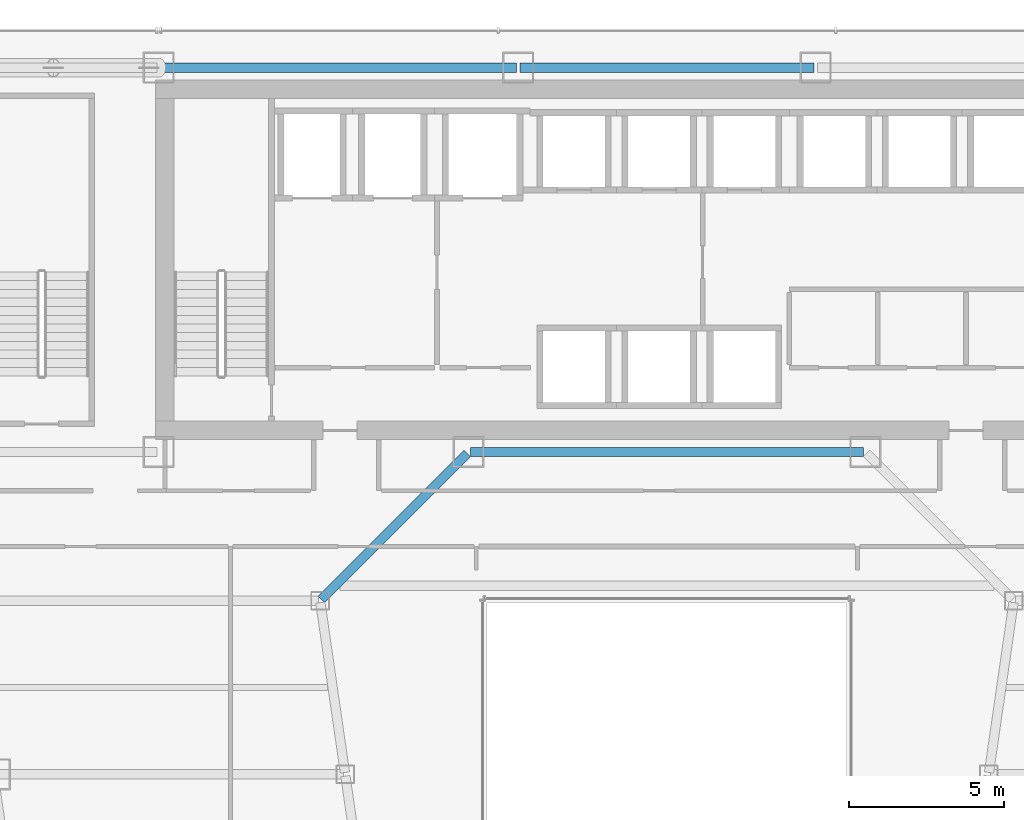
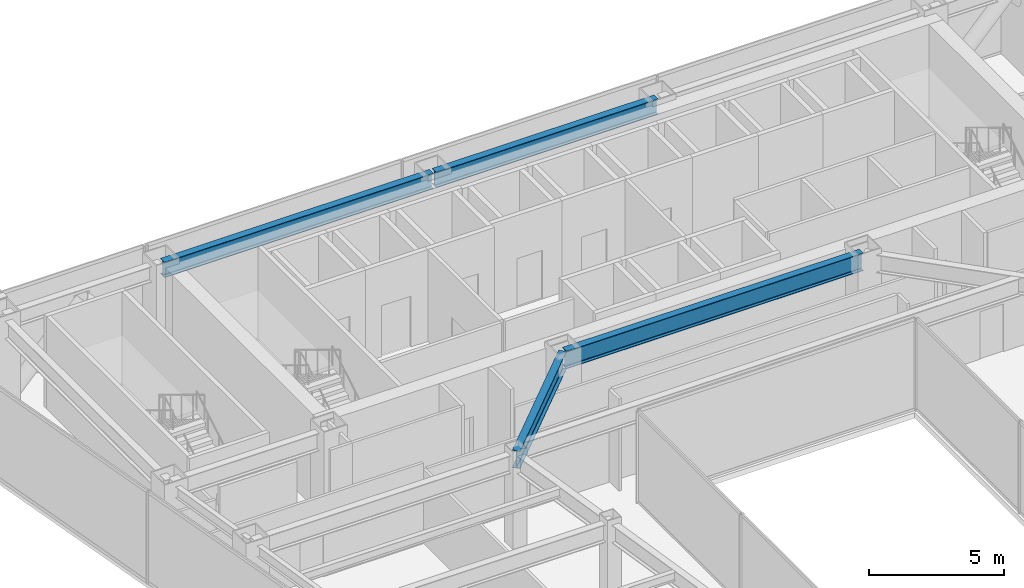
# One storey, part 22 of 37: 4 beams.
"""IFC4 building model written with IfcOpenShell, lengths in metres."""

from ifc_helpers import new_model, si_unit, direction, frame, origin, origin_2d, place, context, subcontext, project, spatial, i_section, extrude, material, material_profile, profile_set, type_object, element, save


model = new_model("IFC4")

# Units and contexts
model_context = context("Model", 3, precision=1e-05, world=origin(), true_north=direction((0.0, 1.0)))
body_context = subcontext(model_context, "Body", "Model", "MODEL_VIEW")
ifc_project = project(units=[si_unit("LENGTHUNIT", "METRE"), si_unit("AREAUNIT", "SQUARE_METRE"), si_unit("VOLUMEUNIT", "CUBIC_METRE"), si_unit("PLANEANGLEUNIT", "RADIAN"), si_unit("MASSUNIT", "GRAM", prefix="KILO")], contexts=[model_context])

# Site, building, storey
site_placement = place(None, origin())
site = spatial("IfcSite", under=ifc_project, at=site_placement, CompositionType="ELEMENT")
building_placement = place(site_placement, origin())
building = spatial("IfcBuilding", under=site, at=building_placement, Name="Saevonmaru Cultural Tower", CompositionType="ELEMENT")
storey_placement = place(building_placement, frame((0.0, 0.0, 106.0)))
storey = spatial("IfcBuildingStorey", under=building, at=storey_placement, Name="L22", CompositionType="ELEMENT", Elevation=106.0)

# Beams
ifc_material_1 = material(Name="Steel SM420", Category="steel")
ifc_material_profile_1 = material_profile(ifc_material_1, i_section(OverallWidth=0.300048828125, OverallDepth=0.800048828125, WebThickness=0.013916015625, FlangeThickness=0.02587890625, FilletRadius=0.028076171875, at=origin_2d()), Name="H-800x300x14x26")
ifc_profile_set_1 = profile_set([ifc_material_profile_1], Name="Steel SM420")
beam_type_1 = type_object("IfcBeamType", Name="BM-G-H800", PredefinedType="BEAM", material=ifc_profile_set_1)
beam_1_placement = place(storey_placement, frame((23.659912109375, 42.39990234375, 3.75), z_axis=(1.0, 0.0, 0.0), x_axis=(0.0, 1.0, 0.0)))
element("IfcBeam", 1, at=beam_1_placement, inside=storey, type_object=beam_type_1, Name="L22 Core South Girder 3", PredefinedType="BEAM", context=body_context, shape_type="SweptSolid", body=[
    extrude(i_section(OverallWidth=0.300048828125, OverallDepth=0.800048828125, WebThickness=0.013916015625, FlangeThickness=0.02587890625, FilletRadius=0.028076171875, at=origin_2d()), origin(), (0.0, 0.0, 1.0), 12.68017578125),
])
beam_2_placement = place(storey_placement, frame((18.850341796875, 37.642578125, 3.75), z_axis=(0.706538566564, 0.707674539572, 0.0), x_axis=(-0.707674539572, 0.706538566564, 0.0)))
element("IfcBeam", 2, at=beam_2_placement, inside=storey, type_object=beam_type_1, Name="L22 West Atrium Girder 5", PredefinedType="BEAM", context=body_context, shape_type="SweptSolid", body=[
    extrude(i_section(OverallWidth=0.300048828125, OverallDepth=0.800048828125, WebThickness=0.013916015625, FlangeThickness=0.02587890625, FilletRadius=0.028076171875, at=origin_2d()), origin(), (0.0, 0.0, 1.0), 6.662353515625),
])
ifc_material_2 = material(Name="Steel SM355", Category="steel")
ifc_material_profile_2 = material_profile(ifc_material_2, i_section(OverallWidth=0.300048828125, OverallDepth=0.699951171875, WebThickness=0.012939453125, FlangeThickness=0.02392578125, FilletRadius=0.02587890625, at=origin_2d()), Name="H-700x300x13x24")
ifc_profile_set_2 = profile_set([ifc_material_profile_2], Name="Steel SM355")
beam_type_2 = type_object("IfcBeamType", Name="BM-SP-H700", PredefinedType="SPANDREL", material=ifc_profile_set_2)
beam_3_placement = place(storey_placement, frame((13.659912109375, 54.800048828125, 3.800048828125), z_axis=(1.0, 0.0, 0.0), x_axis=(0.0, 1.0, 0.0)))
element("IfcBeam", 3, at=beam_3_placement, inside=storey, type_object=beam_type_2, Name="L22 North Spine Girder 2", PredefinedType="SPANDREL", context=body_context, shape_type="SweptSolid", body=[
    extrude(i_section(OverallWidth=0.300048828125, OverallDepth=0.699951171875, WebThickness=0.012939453125, FlangeThickness=0.02392578125, FilletRadius=0.02587890625, at=origin_2d()), origin(), (0.0, 0.0, 1.0), 11.47998046875),
])
beam_4_placement = place(storey_placement, frame((25.260009765625, 54.800048828125, 3.800048828125), z_axis=(1.0, 0.0, 0.0), x_axis=(0.0, 1.0, 0.0)))
element("IfcBeam", 4, at=beam_4_placement, inside=storey, type_object=beam_type_2, Name="L22 North Spine Girder 3", PredefinedType="SPANDREL", context=body_context, shape_type="SweptSolid", body=[
    extrude(i_section(OverallWidth=0.300048828125, OverallDepth=0.699951171875, WebThickness=0.012939453125, FlangeThickness=0.02392578125, FilletRadius=0.02587890625, at=origin_2d()), origin(), (0.0, 0.0, 1.0), 9.47998046875),
])

save(model, "model.ifc")
